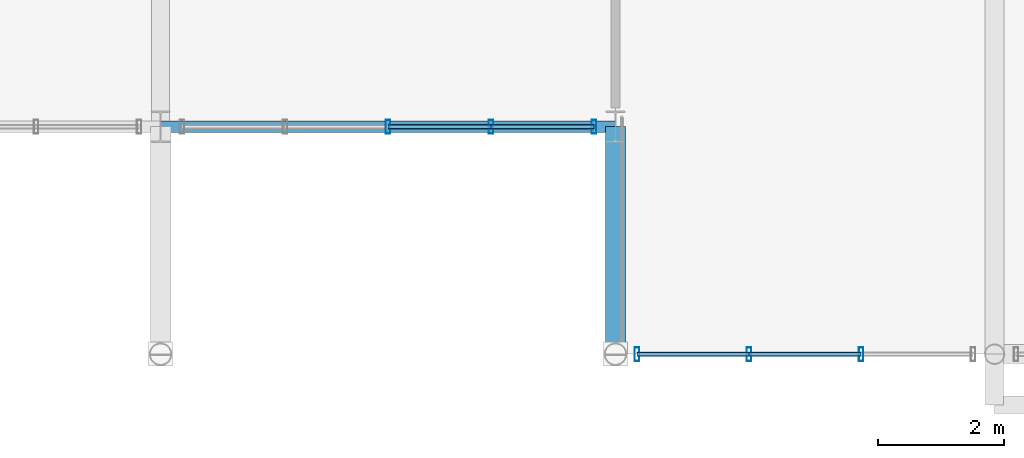
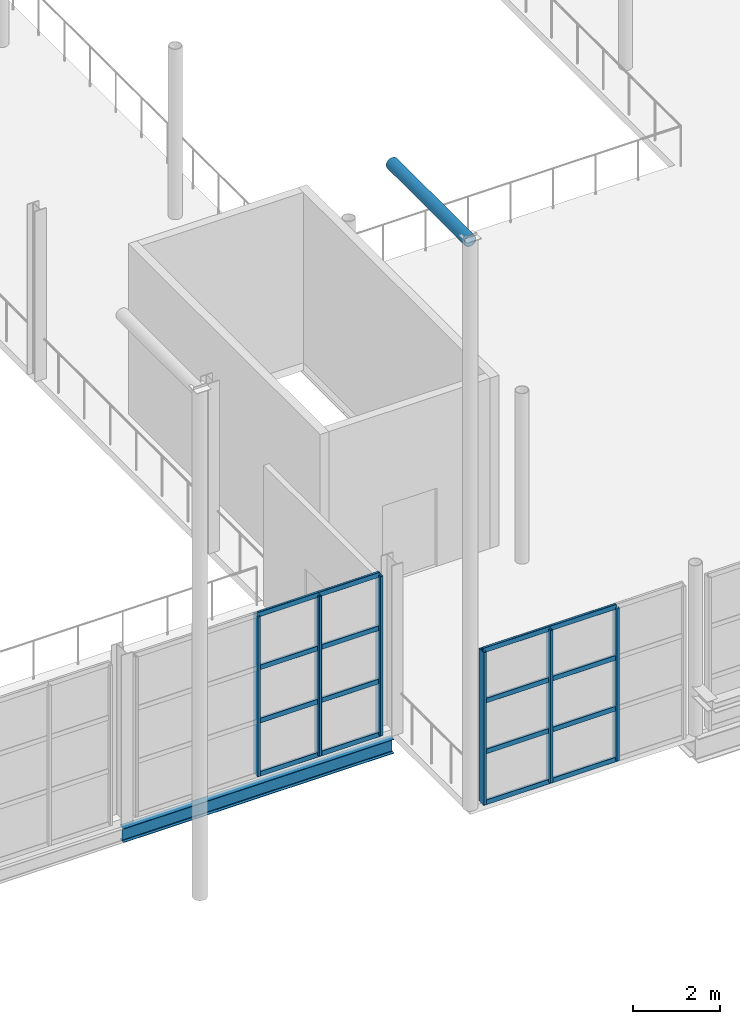
# One storey, part 33 of 143: 22 members, 2 beams, 2 elements without a shape of their own.
"""IFC4 building model written with IfcOpenShell, lengths in metres."""

from ifc_helpers import new_model, si_unit, derived_unit, direction, frame, origin, origin_2d, place, context, subcontext, project, spatial, hollow_rectangle, hollow_circle, i_section, extrude, material, material_profile, profile_set, type_object, element, aggregate, save


model = new_model("IFC4")

# Units and contexts
model_context = context("Model", 3, precision=1e-05, world=origin(), true_north=direction((0.0, 1.0)))
body_context = subcontext(model_context, "Body", "Model", "MODEL_VIEW")
ifc_project = project(units=[si_unit("LENGTHUNIT", "METRE"), si_unit("AREAUNIT", "SQUARE_METRE"), si_unit("VOLUMEUNIT", "CUBIC_METRE"), si_unit("PLANEANGLEUNIT", "RADIAN"), si_unit("MASSUNIT", "GRAM", prefix="KILO"), derived_unit("THERMALTRANSMITTANCEUNIT", [(si_unit("POWERUNIT", "WATT"), 1), (si_unit("LENGTHUNIT", "METRE"), -2), (si_unit("THERMODYNAMICTEMPERATUREUNIT", "KELVIN"), -1)])], contexts=[model_context])

# Site, building, storey
site_placement = place(None, origin())
site = spatial("IfcSite", under=ifc_project, at=site_placement, CompositionType="ELEMENT")
building_placement = place(site_placement, origin())
building = spatial("IfcBuilding", under=site, at=building_placement, Name="Keldorne Ridge Multi-Sports Centre", CompositionType="ELEMENT")
storey_placement = place(building_placement, frame((0.0, 0.0, 4.800048828125)))
storey = spatial("IfcBuildingStorey", under=building, at=storey_placement, Name="L01", CompositionType="ELEMENT", Elevation=4.800048828125)

# Beams
ifc_material_1 = material(Name="Steel S355", Category="steel")
ifc_material_profile_1 = material_profile(ifc_material_1, i_section(OverallWidth=0.179931640625, OverallDepth=0.39990234375, WebThickness=0.008544921875, FlangeThickness=0.013427734375, FilletRadius=0.02099609375, at=origin_2d()), Name="IPE 400")
ifc_profile_set_1 = profile_set([ifc_material_profile_1], Name="Steel S355")
beam_type_1 = type_object("IfcBeamType", Name="BM-B-04", PredefinedType="BEAM", material=ifc_profile_set_1)
beam_1_placement = place(storey_placement, frame((70.800048828125, 9.60009765625, -0.420166015625), z_axis=(1.0, 0.0, 0.0), x_axis=(0.0, 1.0, 0.0)))
element("IfcBeam", 1, at=beam_1_placement, inside=storey, type_object=beam_type_1, Name="L01 mezzanine south beam 10", PredefinedType="BEAM", context=body_context, shape_type="SweptSolid", body=[
    extrude(i_section(OverallWidth=0.179931640625, OverallDepth=0.39990234375, WebThickness=0.008544921875, FlangeThickness=0.013427734375, FilletRadius=0.02099609375, at=origin_2d()), origin(), (0.0, 0.0, 1.0), 7.199951171875),
])
ifc_material_profile_2 = material_profile(ifc_material_1, hollow_circle(Radius=0.161865234375, WallThickness=0.01611328125, at=origin_2d()), Name="CHS 323.9x16")
ifc_profile_set_2 = profile_set([ifc_material_profile_2], Name="Steel S355")
beam_type_2 = type_object("IfcBeamType", Name="BM-B-19", PredefinedType="BEAM", material=ifc_profile_set_2)
beam_2_placement = place(storey_placement, frame((78.0, 9.60009765625, 15.949951171875), z_axis=(0.0, -1.0, 0.0), x_axis=(1.0, 0.0, 0.0)))
element("IfcBeam", 2, at=beam_2_placement, inside=storey, type_object=beam_type_2, Name="Colonnade eave rafter 11", PredefinedType="BEAM", context=body_context, shape_type="SweptSolid", body=[
    extrude(hollow_circle(Radius=0.161865234375, WallThickness=0.01611328125, at=origin_2d()), origin(), (0.0, 0.0, 1.0), 3.60009765625),
])

# Curtain wall, members
ifc_material_2 = material(Name="Anodized aluminium", Category="aluminium")
curtain_wall_type = type_object("IfcCurtainWallType", Name="CW-CW-02", PredefinedType="NOTDEFINED", material=ifc_material_2)
curtain_wall_1_placement = place(storey_placement, origin())
curtain_wall_1 = element("IfcCurtainWall", 3, at=curtain_wall_1_placement, inside=storey, type_object=curtain_wall_type, Name="Main Hall south mezzanine curtain wall 026", PredefinedType="NOTDEFINED")
ifc_material_profile_3 = material_profile(ifc_material_2, hollow_rectangle(XDim=0.074951171875, YDim=0.219970703125, WallThickness=0.0048828125, InnerFilletRadius=0.0048828125, OuterFilletRadius=0.010009765625, at=origin_2d()), Name="ALU MULLION 220x75x5")
ifc_profile_set_3 = profile_set([ifc_material_profile_3], Name="Anodized aluminium")
member_type_1 = type_object("IfcMemberType", Name="MEM-ML-02", PredefinedType="MULLION", material=ifc_profile_set_3)
member_1_placement = place(storey_placement, frame((74.39990234375, 9.60009765625, 0.0), z_axis=(0.0, 0.0, 1.0), x_axis=(1.0, 0.0, 0.0)))
member_1 = element("IfcMember", 4, at=member_1_placement, type_object=member_type_1, Name="CW-026 vertical mullion 3", PredefinedType="MULLION", context=body_context, shape_type="SweptSolid", body=[
    extrude(hollow_rectangle(XDim=0.074951171875, YDim=0.219970703125, WallThickness=0.0048828125, InnerFilletRadius=0.0048828125, OuterFilletRadius=0.010009765625, at=origin_2d()), origin(), (0.0, 0.0, 1.0), 4.5),
])
member_2_placement = place(storey_placement, frame((76.030029296875, 9.60009765625, 0.0), z_axis=(0.0, 0.0, 1.0), x_axis=(1.0, 0.0, 0.0)))
member_2 = element("IfcMember", 5, at=member_2_placement, type_object=member_type_1, Name="CW-026 vertical mullion 4", PredefinedType="MULLION", context=body_context, shape_type="SweptSolid", body=[
    extrude(hollow_rectangle(XDim=0.074951171875, YDim=0.219970703125, WallThickness=0.0048828125, InnerFilletRadius=0.0048828125, OuterFilletRadius=0.010009765625, at=origin_2d()), origin(), (0.0, 0.0, 1.0), 4.5),
])
member_3_placement = place(storey_placement, frame((77.659912109375, 9.60009765625, 0.0), z_axis=(0.0, 0.0, 1.0), x_axis=(1.0, 0.0, 0.0)))
member_3 = element("IfcMember", 6, at=member_3_placement, type_object=member_type_1, Name="CW-026 vertical mullion 5", PredefinedType="MULLION", context=body_context, shape_type="SweptSolid", body=[
    extrude(hollow_rectangle(XDim=0.074951171875, YDim=0.219970703125, WallThickness=0.0048828125, InnerFilletRadius=0.0048828125, OuterFilletRadius=0.010009765625, at=origin_2d()), origin(), (0.0, 0.0, 1.0), 4.5),
])

curtain_wall_2_placement = place(storey_placement, origin())
curtain_wall_2 = element("IfcCurtainWall", 7, at=curtain_wall_2_placement, inside=storey, type_object=curtain_wall_type, Name="Public Passage S upper glazing 074", PredefinedType="NOTDEFINED")
member_4_placement = place(storey_placement, frame((78.340087890625, 6.0, 0.0), z_axis=(0.0, 0.0, 1.0), x_axis=(1.0, 0.0, 0.0)))
member_4 = element("IfcMember", 8, at=member_4_placement, type_object=member_type_1, Name="CW-074 vertical mullion 1", PredefinedType="MULLION", context=body_context, shape_type="SweptSolid", body=[
    extrude(hollow_rectangle(XDim=0.074951171875, YDim=0.219970703125, WallThickness=0.0048828125, InnerFilletRadius=0.0048828125, OuterFilletRadius=0.010009765625, at=origin_2d()), origin(), (0.0, 0.0, 1.0), 4.300048828125),
])
member_5_placement = place(storey_placement, frame((80.11328125, 6.0, 0.0), z_axis=(0.0, 0.0, 1.0), x_axis=(1.0, 0.0, 0.0)))
member_5 = element("IfcMember", 9, at=member_5_placement, type_object=member_type_1, Name="CW-074 vertical mullion 2", PredefinedType="MULLION", context=body_context, shape_type="SweptSolid", body=[
    extrude(hollow_rectangle(XDim=0.074951171875, YDim=0.219970703125, WallThickness=0.0048828125, InnerFilletRadius=0.0048828125, OuterFilletRadius=0.010009765625, at=origin_2d()), origin(), (0.0, 0.0, 1.0), 4.300048828125),
])
member_6_placement = place(storey_placement, frame((81.88671875, 6.0, 0.0), z_axis=(0.0, 0.0, 1.0), x_axis=(1.0, 0.0, 0.0)))
member_6 = element("IfcMember", 10, at=member_6_placement, type_object=member_type_1, Name="CW-074 vertical mullion 3", PredefinedType="MULLION", context=body_context, shape_type="SweptSolid", body=[
    extrude(hollow_rectangle(XDim=0.074951171875, YDim=0.219970703125, WallThickness=0.0048828125, InnerFilletRadius=0.0048828125, OuterFilletRadius=0.010009765625, at=origin_2d()), origin(), (0.0, 0.0, 1.0), 4.300048828125),
])

# Member
ifc_material_profile_4 = material_profile(ifc_material_2, hollow_rectangle(XDim=0.06494140625, YDim=0.139892578125, WallThickness=0.00439453125, InnerFilletRadius=0.00439453125, OuterFilletRadius=0.009033203125, at=origin_2d()), Name="ALU TRANSOM 140x65x4.5")
ifc_profile_set_4 = profile_set([ifc_material_profile_4], Name="Anodized aluminium")
member_type_2 = type_object("IfcMemberType", Name="MEM-TR-01", PredefinedType="USERDEFINED", material=ifc_profile_set_4)
member_7_placement = place(storey_placement, frame((74.39990234375, 9.60009765625, 0.0), z_axis=(1.0, 0.0, 0.0), x_axis=(0.0, 1.0, 0.0)))
member_7 = element("IfcMember", 11, at=member_7_placement, type_object=member_type_2, Name="CW-026 transom 3.1", ObjectType="TRANSOM", PredefinedType="USERDEFINED", context=body_context, shape_type="SweptSolid", body=[
    extrude(hollow_rectangle(XDim=0.06494140625, YDim=0.139892578125, WallThickness=0.00439453125, InnerFilletRadius=0.00439453125, OuterFilletRadius=0.009033203125, at=origin_2d()), origin(), (0.0, 0.0, 1.0), 1.630126953125),
])

member_8_placement = place(storey_placement, frame((74.39990234375, 9.60009765625, 1.5), z_axis=(1.0, 0.0, 0.0), x_axis=(0.0, 1.0, 0.0)))
member_8 = element("IfcMember", 12, at=member_8_placement, type_object=member_type_2, Name="CW-026 transom 3.2", ObjectType="TRANSOM", PredefinedType="USERDEFINED", context=body_context, shape_type="SweptSolid", body=[
    extrude(hollow_rectangle(XDim=0.06494140625, YDim=0.139892578125, WallThickness=0.00439453125, InnerFilletRadius=0.00439453125, OuterFilletRadius=0.009033203125, at=origin_2d()), origin(), (0.0, 0.0, 1.0), 1.630126953125),
])

member_9_placement = place(storey_placement, frame((74.39990234375, 9.60009765625, 3.0), z_axis=(1.0, 0.0, 0.0), x_axis=(0.0, 1.0, 0.0)))
member_9 = element("IfcMember", 13, at=member_9_placement, type_object=member_type_2, Name="CW-026 transom 3.3", ObjectType="TRANSOM", PredefinedType="USERDEFINED", context=body_context, shape_type="SweptSolid", body=[
    extrude(hollow_rectangle(XDim=0.06494140625, YDim=0.139892578125, WallThickness=0.00439453125, InnerFilletRadius=0.00439453125, OuterFilletRadius=0.009033203125, at=origin_2d()), origin(), (0.0, 0.0, 1.0), 1.630126953125),
])

member_10_placement = place(storey_placement, frame((74.39990234375, 9.60009765625, 4.5), z_axis=(1.0, 0.0, 0.0), x_axis=(0.0, 1.0, 0.0)))
member_10 = element("IfcMember", 14, at=member_10_placement, type_object=member_type_2, Name="CW-026 transom 3.4", ObjectType="TRANSOM", PredefinedType="USERDEFINED", context=body_context, shape_type="SweptSolid", body=[
    extrude(hollow_rectangle(XDim=0.06494140625, YDim=0.139892578125, WallThickness=0.00439453125, InnerFilletRadius=0.00439453125, OuterFilletRadius=0.009033203125, at=origin_2d()), origin(), (0.0, 0.0, 1.0), 1.630126953125),
])

member_11_placement = place(storey_placement, frame((76.030029296875, 9.60009765625, 0.0), z_axis=(1.0, 0.0, 0.0), x_axis=(0.0, 1.0, 0.0)))
member_11 = element("IfcMember", 15, at=member_11_placement, type_object=member_type_2, Name="CW-026 transom 4.1", ObjectType="TRANSOM", PredefinedType="USERDEFINED", context=body_context, shape_type="SweptSolid", body=[
    extrude(hollow_rectangle(XDim=0.06494140625, YDim=0.139892578125, WallThickness=0.00439453125, InnerFilletRadius=0.00439453125, OuterFilletRadius=0.009033203125, at=origin_2d()), origin(), (0.0, 0.0, 1.0), 1.6298828125),
])

member_12_placement = place(storey_placement, frame((76.030029296875, 9.60009765625, 1.5), z_axis=(1.0, 0.0, 0.0), x_axis=(0.0, 1.0, 0.0)))
member_12 = element("IfcMember", 16, at=member_12_placement, type_object=member_type_2, Name="CW-026 transom 4.2", ObjectType="TRANSOM", PredefinedType="USERDEFINED", context=body_context, shape_type="SweptSolid", body=[
    extrude(hollow_rectangle(XDim=0.06494140625, YDim=0.139892578125, WallThickness=0.00439453125, InnerFilletRadius=0.00439453125, OuterFilletRadius=0.009033203125, at=origin_2d()), origin(), (0.0, 0.0, 1.0), 1.6298828125),
])

member_13_placement = place(storey_placement, frame((76.030029296875, 9.60009765625, 3.0), z_axis=(1.0, 0.0, 0.0), x_axis=(0.0, 1.0, 0.0)))
member_13 = element("IfcMember", 17, at=member_13_placement, type_object=member_type_2, Name="CW-026 transom 4.3", ObjectType="TRANSOM", PredefinedType="USERDEFINED", context=body_context, shape_type="SweptSolid", body=[
    extrude(hollow_rectangle(XDim=0.06494140625, YDim=0.139892578125, WallThickness=0.00439453125, InnerFilletRadius=0.00439453125, OuterFilletRadius=0.009033203125, at=origin_2d()), origin(), (0.0, 0.0, 1.0), 1.6298828125),
])

member_14_placement = place(storey_placement, frame((76.030029296875, 9.60009765625, 4.5), z_axis=(1.0, 0.0, 0.0), x_axis=(0.0, 1.0, 0.0)))
member_14 = element("IfcMember", 18, at=member_14_placement, type_object=member_type_2, Name="CW-026 transom 4.4", ObjectType="TRANSOM", PredefinedType="USERDEFINED", context=body_context, shape_type="SweptSolid", body=[
    extrude(hollow_rectangle(XDim=0.06494140625, YDim=0.139892578125, WallThickness=0.00439453125, InnerFilletRadius=0.00439453125, OuterFilletRadius=0.009033203125, at=origin_2d()), origin(), (0.0, 0.0, 1.0), 1.6298828125),
])

aggregate(curtain_wall_1, [member_1, member_2, member_3, member_7, member_8, member_9, member_10, member_11, member_12, member_13, member_14])

member_15_placement = place(storey_placement, frame((78.340087890625, 6.0, 0.0), z_axis=(1.0, 0.0, 0.0), x_axis=(0.0, 1.0, 0.0)))
member_15 = element("IfcMember", 19, at=member_15_placement, type_object=member_type_2, Name="CW-074 transom 1.1", ObjectType="TRANSOM", PredefinedType="USERDEFINED", context=body_context, shape_type="SweptSolid", body=[
    extrude(hollow_rectangle(XDim=0.06494140625, YDim=0.139892578125, WallThickness=0.00439453125, InnerFilletRadius=0.00439453125, OuterFilletRadius=0.009033203125, at=origin_2d()), origin(), (0.0, 0.0, 1.0), 1.773193359375),
])

member_16_placement = place(storey_placement, frame((78.340087890625, 6.0, 1.433349609375), z_axis=(1.0, 0.0, 0.0), x_axis=(0.0, 1.0, 0.0)))
member_16 = element("IfcMember", 20, at=member_16_placement, type_object=member_type_2, Name="CW-074 transom 1.2", ObjectType="TRANSOM", PredefinedType="USERDEFINED", context=body_context, shape_type="SweptSolid", body=[
    extrude(hollow_rectangle(XDim=0.06494140625, YDim=0.139892578125, WallThickness=0.00439453125, InnerFilletRadius=0.00439453125, OuterFilletRadius=0.009033203125, at=origin_2d()), origin(), (0.0, 0.0, 1.0), 1.773193359375),
])

member_17_placement = place(storey_placement, frame((78.340087890625, 6.0, 2.86669921875), z_axis=(1.0, 0.0, 0.0), x_axis=(0.0, 1.0, 0.0)))
member_17 = element("IfcMember", 21, at=member_17_placement, type_object=member_type_2, Name="CW-074 transom 1.3", ObjectType="TRANSOM", PredefinedType="USERDEFINED", context=body_context, shape_type="SweptSolid", body=[
    extrude(hollow_rectangle(XDim=0.06494140625, YDim=0.139892578125, WallThickness=0.00439453125, InnerFilletRadius=0.00439453125, OuterFilletRadius=0.009033203125, at=origin_2d()), origin(), (0.0, 0.0, 1.0), 1.773193359375),
])

member_18_placement = place(storey_placement, frame((78.340087890625, 6.0, 4.300048828125), z_axis=(1.0, 0.0, 0.0), x_axis=(0.0, 1.0, 0.0)))
member_18 = element("IfcMember", 22, at=member_18_placement, type_object=member_type_2, Name="CW-074 transom 1.4", ObjectType="TRANSOM", PredefinedType="USERDEFINED", context=body_context, shape_type="SweptSolid", body=[
    extrude(hollow_rectangle(XDim=0.06494140625, YDim=0.139892578125, WallThickness=0.00439453125, InnerFilletRadius=0.00439453125, OuterFilletRadius=0.009033203125, at=origin_2d()), origin(), (0.0, 0.0, 1.0), 1.773193359375),
])

member_19_placement = place(storey_placement, frame((80.11328125, 6.0, 0.0), z_axis=(1.0, 0.0, 0.0), x_axis=(0.0, 1.0, 0.0)))
member_19 = element("IfcMember", 23, at=member_19_placement, type_object=member_type_2, Name="CW-074 transom 2.1", ObjectType="TRANSOM", PredefinedType="USERDEFINED", context=body_context, shape_type="SweptSolid", body=[
    extrude(hollow_rectangle(XDim=0.06494140625, YDim=0.139892578125, WallThickness=0.00439453125, InnerFilletRadius=0.00439453125, OuterFilletRadius=0.009033203125, at=origin_2d()), origin(), (0.0, 0.0, 1.0), 1.7734375),
])

member_20_placement = place(storey_placement, frame((80.11328125, 6.0, 1.433349609375), z_axis=(1.0, 0.0, 0.0), x_axis=(0.0, 1.0, 0.0)))
member_20 = element("IfcMember", 24, at=member_20_placement, type_object=member_type_2, Name="CW-074 transom 2.2", ObjectType="TRANSOM", PredefinedType="USERDEFINED", context=body_context, shape_type="SweptSolid", body=[
    extrude(hollow_rectangle(XDim=0.06494140625, YDim=0.139892578125, WallThickness=0.00439453125, InnerFilletRadius=0.00439453125, OuterFilletRadius=0.009033203125, at=origin_2d()), origin(), (0.0, 0.0, 1.0), 1.7734375),
])

member_21_placement = place(storey_placement, frame((80.11328125, 6.0, 2.86669921875), z_axis=(1.0, 0.0, 0.0), x_axis=(0.0, 1.0, 0.0)))
member_21 = element("IfcMember", 25, at=member_21_placement, type_object=member_type_2, Name="CW-074 transom 2.3", ObjectType="TRANSOM", PredefinedType="USERDEFINED", context=body_context, shape_type="SweptSolid", body=[
    extrude(hollow_rectangle(XDim=0.06494140625, YDim=0.139892578125, WallThickness=0.00439453125, InnerFilletRadius=0.00439453125, OuterFilletRadius=0.009033203125, at=origin_2d()), origin(), (0.0, 0.0, 1.0), 1.7734375),
])

member_22_placement = place(storey_placement, frame((80.11328125, 6.0, 4.300048828125), z_axis=(1.0, 0.0, 0.0), x_axis=(0.0, 1.0, 0.0)))
member_22 = element("IfcMember", 26, at=member_22_placement, type_object=member_type_2, Name="CW-074 transom 2.4", ObjectType="TRANSOM", PredefinedType="USERDEFINED", context=body_context, shape_type="SweptSolid", body=[
    extrude(hollow_rectangle(XDim=0.06494140625, YDim=0.139892578125, WallThickness=0.00439453125, InnerFilletRadius=0.00439453125, OuterFilletRadius=0.009033203125, at=origin_2d()), origin(), (0.0, 0.0, 1.0), 1.7734375),
])

aggregate(curtain_wall_2, [member_4, member_5, member_6, member_15, member_16, member_17, member_18, member_19, member_20, member_21, member_22])

save(model, "model.ifc")
